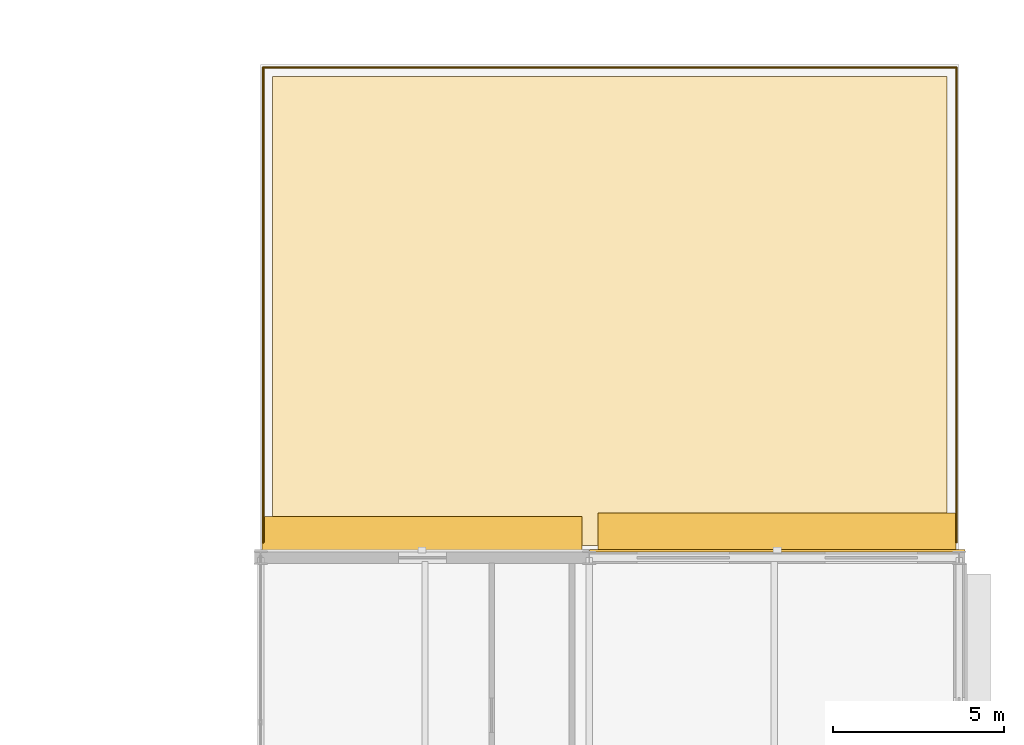
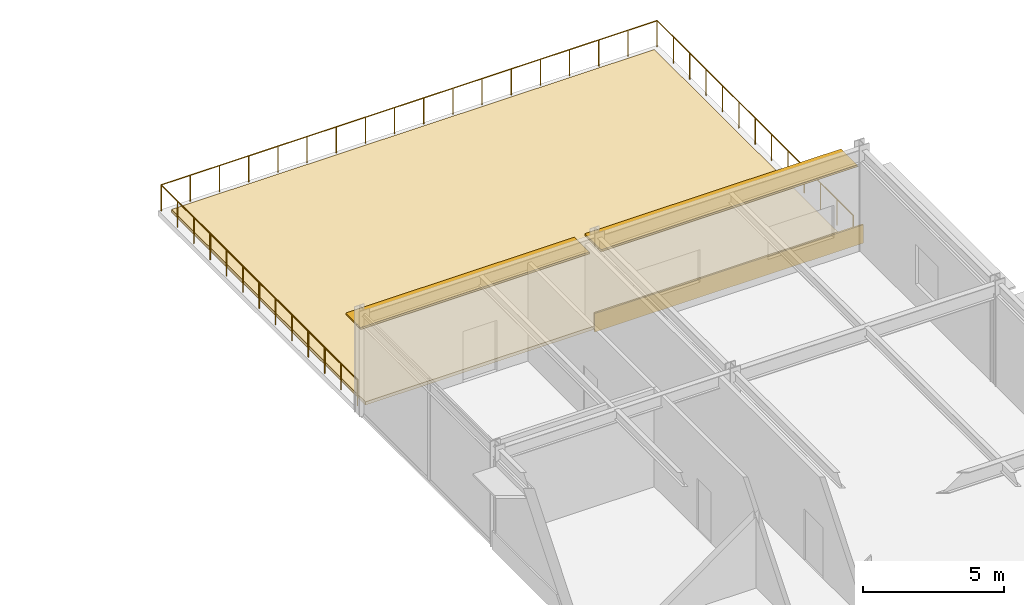
# One storey, part 157 of 157: 3 railings, 2 coverings, 2 shading devices.
"""IFC4 building model written with IfcOpenShell, lengths in metres."""

from ifc_helpers import new_model, si_unit, direction, frame, origin, origin_2d, place, context, subcontext, project, spatial, polyline, rectangle, circle, outline, extrude, material, layer, layer_set, type_object, element, save


model = new_model("IFC4")

# Units and contexts
model_context = context("Model", 3, precision=1e-05, world=origin(), true_north=direction((0.0, 1.0)))
body_context = subcontext(model_context, "Body", "Model", "MODEL_VIEW")
ifc_project = project(units=[si_unit("LENGTHUNIT", "METRE"), si_unit("AREAUNIT", "SQUARE_METRE"), si_unit("VOLUMEUNIT", "CUBIC_METRE"), si_unit("PLANEANGLEUNIT", "RADIAN"), si_unit("MASSUNIT", "GRAM", prefix="KILO")], contexts=[model_context])

# Site, building, storey
site_placement = place(None, origin())
site = spatial("IfcSite", under=ifc_project, at=site_placement, CompositionType="ELEMENT")
building_placement = place(site_placement, origin())
building = spatial("IfcBuilding", under=site, at=building_placement, Name="Almandine Court Research Institute", CompositionType="ELEMENT")
storey_placement = place(building_placement, frame((0.0, 0.0, 5.25)))
storey = spatial("IfcBuildingStorey", under=building, at=storey_placement, Name="L01", CompositionType="ELEMENT", Elevation=5.25)

# Coverings
ifc_material_1 = material(Name="Honed Andean Red-Buff Sandstone Cladding", Category="masonry")
ifc_layer_1 = layer(ifc_material_1, 0.06494140625)
ifc_layer_set_1 = layer_set([ifc_layer_1], Name="Honed Andean Red-Buff Sandstone Cladding")
covering_type_1 = type_object("IfcCoveringType", Name="Cov-CLAD-SAND", PredefinedType="CLADDING", material=ifc_layer_set_1)
covering_1_placement = place(storey_placement, frame((168.68701171875, 103.40087890625, 0.02001953125), z_axis=(0.0, 0.0, 1.0), x_axis=(1.0, 0.0, 0.0)))
element("IfcCovering", 1, at=covering_1_placement, inside=storey, type_object=covering_type_1, Name="L01 Facade Spandrel Cladding Band 126", PredefinedType="CLADDING", context=body_context, shape_type="SweptSolid", body=[
    extrude(rectangle(XDim=10.966064453125, YDim=0.06494140625, at=origin_2d()), origin(), (0.0, 0.0, 1.0), 0.800048828125),
])
ifc_material_2 = material(Name="Extensive Andean Sedum Planted Green Roof Build-Up")
ifc_layer_2 = layer(ifc_material_2, 0.139892578125)
ifc_layer_set_2 = layer_set([ifc_layer_2], Name="Extensive Andean Sedum Planted Green Roof Build-Up")
covering_type_2 = type_object("IfcCoveringType", Name="Cov-ROOF-GREEN", PredefinedType="ROOFING", material=ifc_layer_set_2)
covering_2_placement = place(storey_placement, origin())
element("IfcCovering", 2, at=covering_2_placement, inside=storey, type_object=covering_type_2, Name="L01 Planted Green Roof Covering 04", PredefinedType="ROOFING", context=body_context, shape_type="SweptSolid", body=[
    extrude(outline(polyline([(153.949951171875, 103.550048828125), (153.949951171875, 117.25), (173.64990234375, 117.25), (173.64990234375, 103.550048828125), (153.949951171875, 103.550048828125)])), origin(), (0.0, 0.0, 1.0), 0.139892578125),
])

# Railings
ifc_material_3 = material(Name="Architectural Powder-Coated Aluminium Balustrade", Category="aluminium")
railing_type = type_object("IfcRailingType", Name="Rail-BAL-EXT", PredefinedType="BALUSTRADE", material=ifc_material_3)
railing_1_placement = place(storey_placement, frame((153.679931640625, 103.64990234375, 0.0)))
element("IfcRailing", 3, at=railing_1_placement, inside=storey, type_object=railing_type, Name="L01 Terrace Perimeter Balustrade 009", PredefinedType="BALUSTRADE", context=body_context, shape_type="SweptSolid", body=[
    extrude(circle(Radius=0.02392578125, at=origin_2d()), frame((0.0, 0.0, 1.1259765625), z_axis=(0.0, 1.0, 0.0), x_axis=(-1.0, 0.0, 0.0)), (0.0, 0.0, 1.0), 13.8701171875),
    extrude(circle(Radius=0.02099609375, at=origin_2d()), origin(), (0.0, 0.0, 1.0), 1.101806640625),
    extrude(circle(Radius=0.02099609375, at=origin_2d()), frame((0.0, 1.15576171875, 0.0)), (0.0, 0.0, 1.0), 1.101806640625),
    extrude(circle(Radius=0.02099609375, at=origin_2d()), frame((0.0, 2.311767578125, 0.0)), (0.0, 0.0, 1.0), 1.101806640625),
    extrude(circle(Radius=0.02099609375, at=origin_2d()), frame((0.0, 3.467529296875, 0.0)), (0.0, 0.0, 1.0), 1.101806640625),
    extrude(circle(Radius=0.02099609375, at=origin_2d()), frame((0.0, 4.623291015625, 0.0)), (0.0, 0.0, 1.0), 1.101806640625),
    extrude(circle(Radius=0.02099609375, at=origin_2d()), frame((0.0, 5.779296875, 0.0)), (0.0, 0.0, 1.0), 1.101806640625),
    extrude(circle(Radius=0.02099609375, at=origin_2d()), frame((0.0, 6.93505859375, 0.0)), (0.0, 0.0, 1.0), 1.101806640625),
    extrude(circle(Radius=0.02099609375, at=origin_2d()), frame((0.0, 8.0908203125, 0.0)), (0.0, 0.0, 1.0), 1.101806640625),
    extrude(circle(Radius=0.02099609375, at=origin_2d()), frame((0.0, 9.246826171875, 0.0)), (0.0, 0.0, 1.0), 1.101806640625),
    extrude(circle(Radius=0.02099609375, at=origin_2d()), frame((0.0, 10.402587890625, 0.0)), (0.0, 0.0, 1.0), 1.101806640625),
    extrude(circle(Radius=0.02099609375, at=origin_2d()), frame((0.0, 11.558349609375, 0.0)), (0.0, 0.0, 1.0), 1.101806640625),
    extrude(circle(Radius=0.02099609375, at=origin_2d()), frame((0.0, 12.71435546875, 0.0)), (0.0, 0.0, 1.0), 1.101806640625),
    extrude(circle(Radius=0.02099609375, at=origin_2d()), frame((0.0, 13.8701171875, 0.0)), (0.0, 0.0, 1.0), 1.101806640625),
])
railing_2_placement = place(storey_placement, frame((153.679931640625, 117.52001953125, 0.0)))
element("IfcRailing", 4, at=railing_2_placement, inside=storey, type_object=railing_type, Name="L01 Terrace Perimeter Balustrade 010", PredefinedType="BALUSTRADE", context=body_context, shape_type="SweptSolid", body=[
    extrude(circle(Radius=0.02392578125, at=origin_2d()), frame((0.0, 0.0, 1.1259765625), z_axis=(1.0, 0.0, 0.0), x_axis=(0.0, 1.0, 0.0)), (0.0, 0.0, 1.0), 20.239990234375),
    extrude(circle(Radius=0.02099609375, at=origin_2d()), origin(), (0.0, 0.0, 1.0), 1.101806640625),
    extrude(circle(Radius=0.02099609375, at=origin_2d()), frame((1.190673828125, 0.0, 0.0)), (0.0, 0.0, 1.0), 1.101806640625),
    extrude(circle(Radius=0.02099609375, at=origin_2d()), frame((2.381103515625, 0.0, 0.0)), (0.0, 0.0, 1.0), 1.101806640625),
    extrude(circle(Radius=0.02099609375, at=origin_2d()), frame((3.57177734375, 0.0, 0.0)), (0.0, 0.0, 1.0), 1.101806640625),
    extrude(circle(Radius=0.02099609375, at=origin_2d()), frame((4.762451171875, 0.0, 0.0)), (0.0, 0.0, 1.0), 1.101806640625),
    extrude(circle(Radius=0.02099609375, at=origin_2d()), frame((5.952880859375, 0.0, 0.0)), (0.0, 0.0, 1.0), 1.101806640625),
    extrude(circle(Radius=0.02099609375, at=origin_2d()), frame((7.1435546875, 0.0, 0.0)), (0.0, 0.0, 1.0), 1.101806640625),
    extrude(circle(Radius=0.02099609375, at=origin_2d()), frame((8.334228515625, 0.0, 0.0)), (0.0, 0.0, 1.0), 1.101806640625),
    extrude(circle(Radius=0.02099609375, at=origin_2d()), frame((9.524658203125, 0.0, 0.0)), (0.0, 0.0, 1.0), 1.101806640625),
    extrude(circle(Radius=0.02099609375, at=origin_2d()), frame((10.71533203125, 0.0, 0.0)), (0.0, 0.0, 1.0), 1.101806640625),
    extrude(circle(Radius=0.02099609375, at=origin_2d()), frame((11.90576171875, 0.0, 0.0)), (0.0, 0.0, 1.0), 1.101806640625),
    extrude(circle(Radius=0.02099609375, at=origin_2d()), frame((13.096435546875, 0.0, 0.0)), (0.0, 0.0, 1.0), 1.101806640625),
    extrude(circle(Radius=0.02099609375, at=origin_2d()), frame((14.287109375, 0.0, 0.0)), (0.0, 0.0, 1.0), 1.101806640625),
    extrude(circle(Radius=0.02099609375, at=origin_2d()), frame((15.4775390625, 0.0, 0.0)), (0.0, 0.0, 1.0), 1.101806640625),
    extrude(circle(Radius=0.02099609375, at=origin_2d()), frame((16.668212890625, 0.0, 0.0)), (0.0, 0.0, 1.0), 1.101806640625),
    extrude(circle(Radius=0.02099609375, at=origin_2d()), frame((17.85888671875, 0.0, 0.0)), (0.0, 0.0, 1.0), 1.101806640625),
    extrude(circle(Radius=0.02099609375, at=origin_2d()), frame((19.04931640625, 0.0, 0.0)), (0.0, 0.0, 1.0), 1.101806640625),
    extrude(circle(Radius=0.02099609375, at=origin_2d()), frame((20.239990234375, 0.0, 0.0)), (0.0, 0.0, 1.0), 1.101806640625),
])
railing_3_placement = place(storey_placement, frame((173.919921875, 117.52001953125, 0.0)))
element("IfcRailing", 5, at=railing_3_placement, inside=storey, type_object=railing_type, Name="L01 Terrace Perimeter Balustrade 011", PredefinedType="BALUSTRADE", context=body_context, shape_type="SweptSolid", body=[
    extrude(circle(Radius=0.02392578125, at=origin_2d()), frame((0.0, 0.0, 1.1259765625), z_axis=(0.0, -1.0, 0.0), x_axis=(1.0, 0.0, 0.0)), (0.0, 0.0, 1.0), 13.8701171875),
    extrude(circle(Radius=0.02099609375, at=origin_2d()), origin(), (0.0, 0.0, 1.0), 1.101806640625),
    extrude(circle(Radius=0.02099609375, at=origin_2d()), frame((0.0, -1.15576171875, 0.0)), (0.0, 0.0, 1.0), 1.101806640625),
    extrude(circle(Radius=0.02099609375, at=origin_2d()), frame((0.0, -2.311767578125, 0.0)), (0.0, 0.0, 1.0), 1.101806640625),
    extrude(circle(Radius=0.02099609375, at=origin_2d()), frame((0.0, -3.467529296875, 0.0)), (0.0, 0.0, 1.0), 1.101806640625),
    extrude(circle(Radius=0.02099609375, at=origin_2d()), frame((0.0, -4.623291015625, 0.0)), (0.0, 0.0, 1.0), 1.101806640625),
    extrude(circle(Radius=0.02099609375, at=origin_2d()), frame((0.0, -5.779296875, 0.0)), (0.0, 0.0, 1.0), 1.101806640625),
    extrude(circle(Radius=0.02099609375, at=origin_2d()), frame((0.0, -6.93505859375, 0.0)), (0.0, 0.0, 1.0), 1.101806640625),
    extrude(circle(Radius=0.02099609375, at=origin_2d()), frame((0.0, -8.0908203125, 0.0)), (0.0, 0.0, 1.0), 1.101806640625),
    extrude(circle(Radius=0.02099609375, at=origin_2d()), frame((0.0, -9.246826171875, 0.0)), (0.0, 0.0, 1.0), 1.101806640625),
    extrude(circle(Radius=0.02099609375, at=origin_2d()), frame((0.0, -10.402587890625, 0.0)), (0.0, 0.0, 1.0), 1.101806640625),
    extrude(circle(Radius=0.02099609375, at=origin_2d()), frame((0.0, -11.558349609375, 0.0)), (0.0, 0.0, 1.0), 1.101806640625),
    extrude(circle(Radius=0.02099609375, at=origin_2d()), frame((0.0, -12.71435546875, 0.0)), (0.0, 0.0, 1.0), 1.101806640625),
    extrude(circle(Radius=0.02099609375, at=origin_2d()), frame((0.0, -13.8701171875, 0.0)), (0.0, 0.0, 1.0), 1.101806640625),
])

# Shading devices
ifc_material_4 = material(Name="Precast GFRC Chhajja Sunshade and Acoustic Louvre", Category="concrete")
ifc_layer_3 = layer(ifc_material_4, 0.080078125)
ifc_layer_set_3 = layer_set([ifc_layer_3], Name="Precast GFRC Chhajja Sunshade and Acoustic Louvre")
shading_device_type_1 = type_object("IfcShadingDeviceType", Name="Shd-SD-49", PredefinedType="AWNING", material=ifc_layer_set_3)
shading_device_1_placement = place(storey_placement, frame((158.31298828125, 103.885009765625, 3.48388671875), z_axis=(0.0, 0.0, 1.0), x_axis=(1.0, 0.0, 0.0)))
element("IfcShadingDevice", 6, at=shading_device_1_placement, inside=storey, type_object=shading_device_type_1, Name="L01 Projecting Chhajja Sunshade 81", PredefinedType="AWNING", context=body_context, shape_type="SweptSolid", body=[
    extrude(rectangle(XDim=9.3359375, YDim=1.050048828125, at=origin_2d()), origin(), (0.0, 0.0, 1.0), 0.080078125),
])
ifc_layer_4 = layer(ifc_material_4, 0.080078125)
ifc_layer_set_4 = layer_set([ifc_layer_4], Name="Precast GFRC Chhajja Sunshade and Acoustic Louvre")
shading_device_type_2 = type_object("IfcShadingDeviceType", Name="Shd-SD-50", PredefinedType="AWNING", material=ifc_layer_set_4)
shading_device_2_placement = place(storey_placement, frame((168.68701171875, 103.93505859375, 3.405029296875), z_axis=(0.0, 0.0, 1.0), x_axis=(1.0, 0.0, 0.0)))
element("IfcShadingDevice", 7, at=shading_device_2_placement, inside=storey, type_object=shading_device_type_2, Name="L01 Projecting Chhajja Sunshade 82", PredefinedType="AWNING", context=body_context, shape_type="SweptSolid", body=[
    extrude(rectangle(XDim=10.4560546875, YDim=1.14990234375, at=origin_2d()), origin(), (0.0, 0.0, 1.0), 0.080078125),
])

save(model, "model.ifc")
